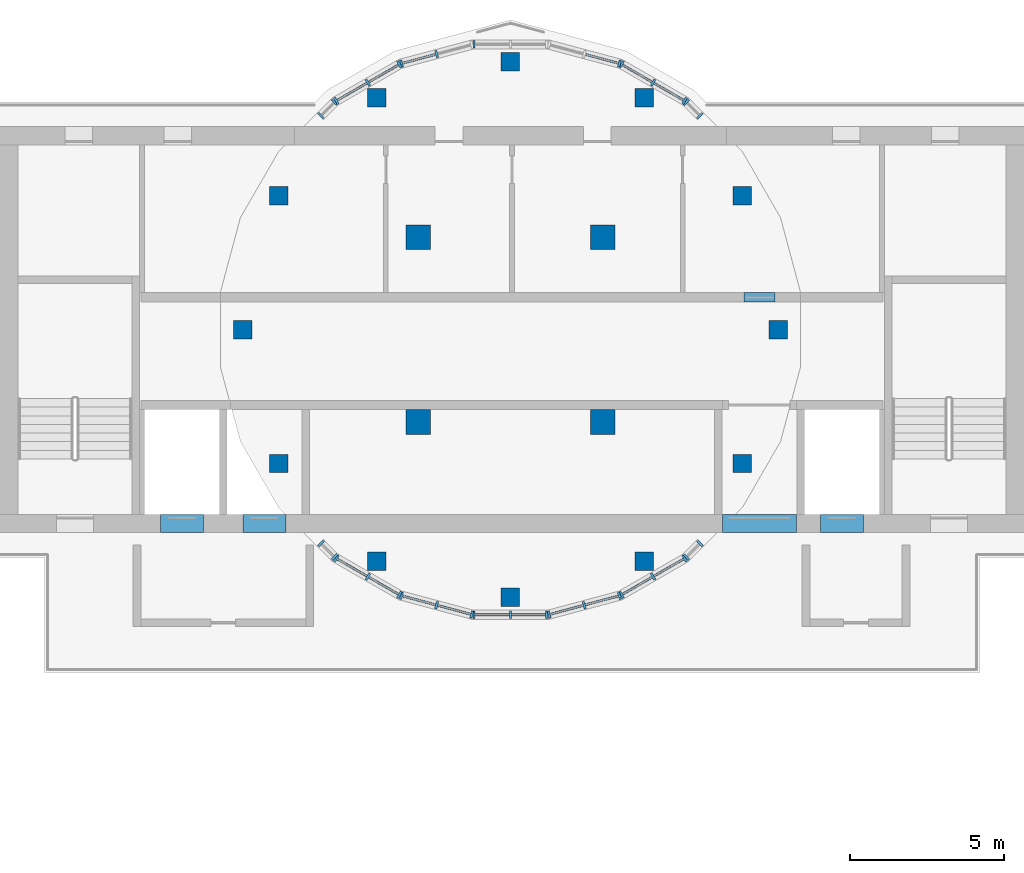
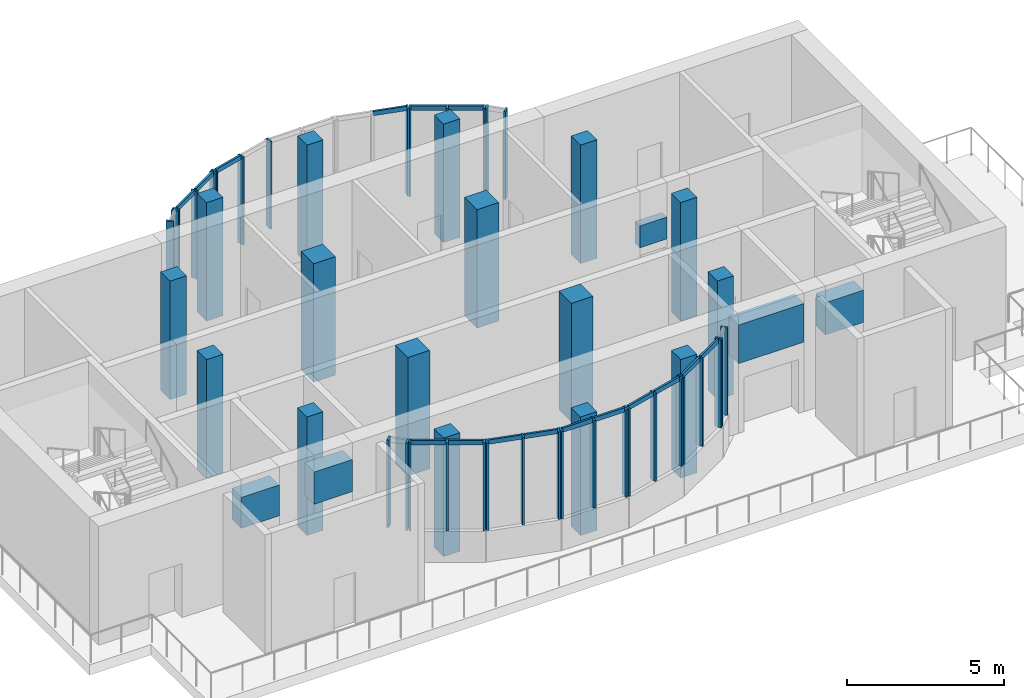
# One storey, part 1 of 10: 49 members, 16 columns, 5 beams, 14 elements without a shape of their own.
"""IFC4 building model written with IfcOpenShell, lengths in metres."""

import ifcopenshell
import ifcopenshell.guid

model = None  # the IFC model being written
_history = None  # IfcOwnerHistory: only IFC2X3 demands one
_inside = {}  # id of a spatial element -> (the spatial element, [elements in it])
_under = {}  # id of a project, library or spatial element -> (it, [spatial elements below it])
_declared = {}  # id of a project -> (the project, [libraries it declares])
_typed = {}  # id of a type object -> (the type object, [elements of that type])
_made_of = {}  # id of a material, layer set ... -> (it, [elements and type objects made of it])


def new_model(schema):
    """Start an empty IFC model of exactly this schema.

    Asked for "IFC4X3", IfcOpenShell would pick the latest addendum, in which some entities
    have other attributes; the version numbers below select the first issue.
    IFC2X3 requires an IfcOwnerHistory on every rooted entity: one is made here for all.
    """
    global model, _history
    if schema == "IFC4X3":
        model = ifcopenshell.file(schema_version=(4, 3, 0, 0))
    else:
        model = ifcopenshell.file(schema=schema)
    _inside.clear()
    _under.clear()
    _declared.clear()
    _typed.clear()
    _made_of.clear()
    _history = None
    if model.schema == "IFC2X3":
        org = make("IfcOrganization", Name="unknown")
        user = make(
            "IfcPersonAndOrganization",
            ThePerson=make("IfcPerson", FamilyName="unknown"),
            TheOrganization=org,
        )
        app = make(
            "IfcApplication",
            ApplicationDeveloper=org,
            Version="unknown",
            ApplicationFullName="unknown",
            ApplicationIdentifier="unknown",
        )
        _history = make(
            "IfcOwnerHistory",
            OwningUser=user,
            OwningApplication=app,
            ChangeAction="ADDED",
            CreationDate=0,
        )
    return model


def make(cls, **values):
    """One entity of the class cls with the attributes given. An attribute that is None is left unset."""
    return model.create_entity(
        cls, **{name: value for name, value in values.items() if value is not None}
    )


def rooted(cls, **values):
    """An entity with a GlobalId (a new one), such as an element, a storey or a relation."""
    return make(cls, GlobalId=ifcopenshell.guid.new(), OwnerHistory=_history, **values)


def si_unit(unit_type, name, prefix=None):
    """IfcSIUnit, for example si_unit("LENGTHUNIT", "METRE", prefix="MILLI")."""
    return make("IfcSIUnit", UnitType=unit_type, Prefix=prefix, Name=name)


def assignment(units):
    """IfcUnitAssignment: the units of a project."""
    return None if units is None else make("IfcUnitAssignment", Units=units)


def point(xyz):
    """IfcCartesianPoint."""
    return None if xyz is None else make("IfcCartesianPoint", Coordinates=xyz)


def direction(xyz):
    """IfcDirection."""
    return None if xyz is None else make("IfcDirection", DirectionRatios=xyz)


def frame(location, z_axis=None, x_axis=None):
    """IfcAxis2Placement3D, a coordinate frame: its origin and axes. An axis left out is left unset."""
    return make(
        "IfcAxis2Placement3D",
        Location=point(location),
        Axis=direction(z_axis),
        RefDirection=direction(x_axis),
    )


def frame_2d(location, x_axis=None):
    """IfcAxis2Placement2D, a coordinate frame in the plane: its origin and x axis."""
    return make(
        "IfcAxis2Placement2D", Location=point(location), RefDirection=direction(x_axis)
    )


def origin():
    """The frame at (0, 0, 0) with its axes left unset."""
    return frame((0.0, 0.0, 0.0))


def origin_2d():
    """The frame at (0, 0) in the plane with its x axis left unset."""
    return frame_2d((0.0, 0.0))


def place(relative_to, where):
    """IfcLocalPlacement: puts the frame where relative to a parent placement (None: the world)."""
    return make(
        "IfcLocalPlacement", PlacementRelTo=relative_to, RelativePlacement=where
    )


def context(
    kind, dimensions, precision=None, world=None, true_north=None, identifier=None
):
    """IfcGeometricRepresentationContext, for example the 3D "Model" context."""
    return make(
        "IfcGeometricRepresentationContext",
        ContextIdentifier=identifier,
        ContextType=kind,
        CoordinateSpaceDimension=dimensions,
        Precision=precision,
        WorldCoordinateSystem=world,
        TrueNorth=true_north,
    )


def subcontext(parent, identifier, kind, view, scale=None):
    """IfcGeometricRepresentationSubContext, for example "Body" below "Model"."""
    return make(
        "IfcGeometricRepresentationSubContext",
        ContextIdentifier=identifier,
        ContextType=kind,
        ParentContext=parent,
        TargetScale=scale,
        TargetView=view,
    )


def project(units=None, contexts=None):
    """IfcProject with its units and contexts."""
    return rooted(
        "IfcProject",
        Name="project",
        RepresentationContexts=contexts,
        UnitsInContext=assignment(units),
    )


def spatial(cls, under=None, at=None, **own):
    """A site, building, storey or space (cls), placed at a placement, below another one or the project."""
    s = rooted(cls, ObjectPlacement=at, **own)
    if under is not None:
        _under.setdefault(under.id(), (under, []))[1].append(s)
    return s


def profile(cls, at=None, kind="AREA", **sizes):
    """A parametric profile (cls). Its sizes go by their IFC names, for example OverallWidth=200.0."""
    return make(cls, ProfileType=kind, Position=at, **sizes)


def rectangle(**sizes):
    """IfcRectangleProfileDef."""
    return profile("IfcRectangleProfileDef", **sizes)


def extrude(swept, where, along, depth):
    """IfcExtrudedAreaSolid: the profile swept, set in the frame where, extruded along a direction by depth."""
    return make(
        "IfcExtrudedAreaSolid",
        SweptArea=swept,
        Position=where,
        ExtrudedDirection=direction(along),
        Depth=depth,
    )


def shape(context_of_items, identifier, shape_type, items):
    """IfcShapeRepresentation: the items that make up one representation, for example the "Body"."""
    return make(
        "IfcShapeRepresentation",
        ContextOfItems=context_of_items,
        RepresentationIdentifier=identifier,
        RepresentationType=shape_type,
        Items=items,
    )


def source(mapping_origin, context_of_items, identifier, shape_type, items):
    """IfcRepresentationMap: a shape defined once, which mapped items show again and again."""
    return make(
        "IfcRepresentationMap",
        MappingOrigin=mapping_origin,
        MappedRepresentation=shape(context_of_items, identifier, shape_type, items),
    )


def transform(
    local_origin,
    x_axis=None,
    y_axis=None,
    z_axis=None,
    scale=None,
    scale2=None,
    scale3=None,
    uniform=True,
):
    """IfcCartesianTransformationOperator3D, or its non-uniform kind. x_axis, y_axis, z_axis: its Axis1, 2, 3."""
    if uniform:
        return make(
            "IfcCartesianTransformationOperator3D",
            Axis1=direction(x_axis),
            Axis2=direction(y_axis),
            LocalOrigin=point(local_origin),
            Scale=scale,
            Axis3=direction(z_axis),
        )
    return make(
        "IfcCartesianTransformationOperator3DnonUniform",
        Axis1=direction(x_axis),
        Axis2=direction(y_axis),
        LocalOrigin=point(local_origin),
        Scale=scale,
        Axis3=direction(z_axis),
        Scale2=scale2,
        Scale3=scale3,
    )


def mapped(mapping_source, mapping_target):
    """IfcMappedItem: shows the shape of a source again, moved by a transform."""
    return make(
        "IfcMappedItem", MappingSource=mapping_source, MappingTarget=mapping_target
    )


def material(Name=None, Category=None):
    """IfcMaterial."""
    return make("IfcMaterial", Name=Name, Category=Category)


def material_profile(
    of_material, cross_section, Name=None, Category=None, Priority=None
):
    """IfcMaterialProfile: a cross section and its material."""
    return make(
        "IfcMaterialProfile",
        Name=Name,
        Material=of_material,
        Profile=cross_section,
        Priority=Priority,
        Category=Category,
    )


def profile_set(profiles, Name=None, composite=None):
    """IfcMaterialProfileSet."""
    return make(
        "IfcMaterialProfileSet",
        Name=Name,
        MaterialProfiles=profiles,
        CompositeProfile=composite,
    )


def made_of(thing, what):
    """Note that an element or type object is made of a material, layer set ...; save() writes the relation."""
    if what is not None:
        _made_of.setdefault(what.id(), (what, []))[1].append(thing)
    return thing


def type_object(cls, material=None, **own):
    """A type object (cls), such as IfcWallType, which elements share."""
    return made_of(rooted(cls, **own), material)


def element(
    cls,
    number,
    at=None,
    inside=None,
    cuts=None,
    type_object=None,
    material=None,
    context=None,
    identifier="Body",
    shape_type=None,
    held_by="IfcProductDefinitionShape",
    body=None,
    shapes=None,
    **own,
):
    """One element of the class cls, such as IfcWall. Its Tag is "e" and its number.

    at: its placement. inside: the storey or other place that contains it. cuts: it is an
    opening in that element (IfcRelVoidsElement). A single representation is given by context,
    identifier, shape_type and body (its items); several are given by shapes. held_by: the class
    of the entity that holds the representations. save() writes the other relations.
    """
    e = rooted(cls, Tag="e%d" % number, ObjectPlacement=at, **own)
    if body is not None:
        shapes = [shape(context, identifier, shape_type, body)]
    if shapes is not None:
        e.Representation = make(held_by, Representations=shapes)
    if inside is not None:
        _inside.setdefault(inside.id(), (inside, []))[1].append(e)
    if cuts is not None:
        rooted(
            "IfcRelVoidsElement", RelatingBuildingElement=cuts, RelatedOpeningElement=e
        )
    if type_object is not None:
        _typed.setdefault(type_object.id(), (type_object, []))[1].append(e)
    return made_of(e, material)


def aggregate(whole, parts):
    """IfcRelAggregates: a whole, such as a stair, and the parts it consists of."""
    return rooted("IfcRelAggregates", RelatingObject=whole, RelatedObjects=parts)


def save(model, path):
    """Write the relations noted so far, then the file.

    IfcRelAggregates (storeys below a building ...), IfcRelContainedInSpatialStructure (elements
    in a storey), IfcRelDefinesByType, IfcRelAssociatesMaterial and IfcRelDeclares: one each for
    every whole, place, type object, material and project.
    """
    for whole, parts in _under.values():
        aggregate(whole, parts)
    for where, things in _inside.values():
        rooted(
            "IfcRelContainedInSpatialStructure",
            RelatedElements=things,
            RelatingStructure=where,
        )
    for kind, things in _typed.values():
        rooted("IfcRelDefinesByType", RelatedObjects=things, RelatingType=kind)
    for what, things in _made_of.values():
        rooted("IfcRelAssociatesMaterial", RelatedObjects=things, RelatingMaterial=what)
    for by, libraries in _declared.values():
        rooted("IfcRelDeclares", RelatingContext=by, RelatedDefinitions=libraries)
    model.write(path)


model = new_model("IFC4")

# Units and contexts
model_context = context("Model", 3, precision=1e-05, world=origin(), true_north=direction((0.0, 1.0)))
body_context = subcontext(model_context, "Body", "Model", "MODEL_VIEW")
ifc_project = project(units=[si_unit("LENGTHUNIT", "METRE"), si_unit("AREAUNIT", "SQUARE_METRE"), si_unit("VOLUMEUNIT", "CUBIC_METRE"), si_unit("PLANEANGLEUNIT", "RADIAN"), si_unit("MASSUNIT", "GRAM", prefix="KILO")], contexts=[model_context])

# Site, building, storey
site_placement = place(None, origin())
site = spatial("IfcSite", under=ifc_project, at=site_placement, CompositionType="ELEMENT")
building_placement = place(site_placement, origin())
building = spatial("IfcBuilding", under=site, at=building_placement, Name="Kilnfold Tower and Market Hall", CompositionType="ELEMENT")
storey_placement = place(building_placement, frame((0.0, 0.0, 323.800048828125)))
storey = spatial("IfcBuildingStorey", under=building, at=storey_placement, Name="L81 Crown Plant", CompositionType="ELEMENT", Elevation=323.800048828125)

# Columns
ifc_material_1 = material(Name="Concrete C60", Category="concrete")
ifc_material_profile_1 = material_profile(ifc_material_1, rectangle(XDim=0.60009765625, YDim=0.60009765625, at=origin_2d()), Name="RC 600x600")
ifc_profile_set_1 = profile_set([ifc_material_profile_1], Name="Concrete C60")
column_type_1 = type_object("IfcColumnType", Name="COLUMN 600X600 C60", PredefinedType="COLUMN", material=ifc_profile_set_1)
shared_shape_1 = source(origin(), body_context, "Body", "SweptSolid", [
    extrude(rectangle(XDim=0.60009765625, YDim=0.60009765625, at=origin_2d()), origin(), (0.0, 0.0, 1.0), 4.599853515625),
])
for number, where, z_axis, x_axis, name in (
    (1, (9.699951171875, 15.0, 0.0), (0.0, 0.0, 1.0), (1.0, 0.0, 0.0), "Column CR1"),
    (2, (8.534423828125, 19.35009765625, 0.0), (0.0, 0.0, 1.0), (1.0, 0.0, 0.0), "Column CR2"),
    (3, (5.35009765625, 22.534423828125, 0.0), (0.0, 0.0, 1.0), (1.0, 0.0, 0.0), "Column CR3"),
    (4, (1.0, 23.699951171875, 0.0), (0.0, 0.0, 1.0), (1.0, 0.0, 0.0), "Column CR4"),
    (5, (-3.35009765625, 22.534423828125, 0.0), (0.0, 0.0, 1.0), (1.0, 0.0, 0.0), "Column CR5"),
    (6, (-6.534423828125, 19.35009765625, 0.0), (0.0, 0.0, 1.0), (1.0, 0.0, 0.0), "Column CR6"),
    (7, (-7.699951171875, 15.0, 0.0), (0.0, 0.0, 1.0), (1.0, 0.0, 0.0), "Column CR7"),
    (8, (-6.534423828125, 10.64990234375, 0.0), (0.0, 0.0, 1.0), (1.0, 0.0, 0.0), "Column CR8"),
    (9, (-3.35009765625, 7.465576171875, 0.0), (0.0, 0.0, 1.0), (1.0, 0.0, 0.0), "Column CR9"),
    (10, (1.0, 6.300048828125, 0.0), (0.0, 0.0, 1.0), (1.0, 0.0, 0.0), "Column CR10"),
    (11, (5.35009765625, 7.465576171875, 0.0), (0.0, 0.0, 1.0), (1.0, 0.0, 0.0), "Column CR11"),
    (12, (8.534423828125, 10.64990234375, 0.0), (0.0, 0.0, 1.0), (1.0, 0.0, 0.0), "Column CR12"),
):
    element("IfcColumn", number, at=place(storey_placement, frame(where, z_axis=z_axis, x_axis=x_axis)), inside=storey, type_object=column_type_1, Name=name, PredefinedType="COLUMN", context=body_context, shape_type="MappedRepresentation", body=[
        mapped(shared_shape_1, transform((0.0, 0.0, 0.0))),
    ])
ifc_material_2 = material(Name="Concrete C60", Category="concrete")
ifc_material_profile_2 = material_profile(ifc_material_2, rectangle(XDim=0.800048828125, YDim=0.800048828125, at=origin_2d()), Name="RC 800x800")
ifc_profile_set_2 = profile_set([ifc_material_profile_2], Name="Concrete C60")
column_type_2 = type_object("IfcColumnType", Name="COLUMN 800X800 C60", PredefinedType="COLUMN", material=ifc_profile_set_2)
shared_shape_2 = source(origin(), body_context, "Body", "SweptSolid", [
    extrude(rectangle(XDim=0.800048828125, YDim=0.800048828125, at=origin_2d()), origin(), (0.0, 0.0, 1.0), 4.599853515625),
])
for number, where, z_axis, x_axis, name in (
    (13, (-2.0, 12.0, 0.0), (0.0, 0.0, 1.0), (1.0, 0.0, 0.0), "Column ML1"),
    (14, (-2.0, 18.0, 0.0), (0.0, 0.0, 1.0), (1.0, 0.0, 0.0), "Column ML2"),
    (15, (4.0, 12.0, 0.0), (0.0, 0.0, 1.0), (1.0, 0.0, 0.0), "Column ML3"),
    (16, (4.0, 18.0, 0.0), (0.0, 0.0, 1.0), (1.0, 0.0, 0.0), "Column ML4"),
):
    element("IfcColumn", number, at=place(storey_placement, frame(where, z_axis=z_axis, x_axis=x_axis)), inside=storey, type_object=column_type_2, Name=name, PredefinedType="COLUMN", context=body_context, shape_type="MappedRepresentation", body=[
        mapped(shared_shape_2, transform((0.0, 0.0, 0.0))),
    ])

# Beams
ifc_material_3 = material(Name="Concrete C50", Category="concrete")
ifc_material_profile_3 = material_profile(ifc_material_3, rectangle(XDim=0.60009765625, YDim=1.199951171875, at=origin_2d()), Name="RC 600x1200")
ifc_profile_set_3 = profile_set([ifc_material_profile_3], Name="Concrete C50")
beam_type_1 = type_object("IfcBeamType", Name="COUPLING BEAM 600X1200 C50", PredefinedType="BEAM", material=ifc_profile_set_3)
shared_shape_3 = source(origin(), body_context, "Body", "SweptSolid", [
    extrude(rectangle(XDim=0.60009765625, YDim=1.199951171875, at=origin_2d()), origin(), (0.0, 0.0, 1.0), 1.400146484375),
])
beam_1_placement = place(storey_placement, frame((-10.3701171875, 8.699951171875, 3.300048828125), z_axis=(1.0, 0.0, 0.0), x_axis=(0.0, 1.0, 0.0)))
element("IfcBeam", 17, at=beam_1_placement, inside=storey, type_object=beam_type_1, Name="Coupling beam CB1200-50-CORE.30", PredefinedType="BEAM", context=body_context, shape_type="MappedRepresentation", body=[
    mapped(shared_shape_3, transform((0.0, 0.0, 0.0))),
])
ifc_material_4 = material(Name="Concrete C50", Category="concrete")
ifc_material_profile_4 = material_profile(ifc_material_4, rectangle(XDim=0.60009765625, YDim=1.25, at=origin_2d()), Name="RC 600x1250")
ifc_profile_set_4 = profile_set([ifc_material_profile_4], Name="Concrete C50")
beam_type_2 = type_object("IfcBeamType", Name="COUPLING BEAM 600X1250 C50", PredefinedType="BEAM", material=ifc_profile_set_4)
shared_shape_4 = source(origin(), body_context, "Body", "SweptSolid", [
    extrude(rectangle(XDim=0.60009765625, YDim=1.25, at=origin_2d()), origin(), (0.0, 0.0, 1.0), 1.39990234375),
])
for number, where, z_axis, x_axis, name in (
    (18, (-7.68994140625, 8.699951171875, 3.324951171875), (1.0, 0.0, 0.0), (0.0, 1.0, 0.0), "Coupling beam CB1250-50-CORE.32"),
    (19, (11.070068359375, 8.699951171875, 3.324951171875), (1.0, 0.0, 0.0), (0.0, 1.0, 0.0), "Coupling beam CB1250-50-CORE.36"),
):
    element("IfcBeam", number, at=place(storey_placement, frame(where, z_axis=z_axis, x_axis=x_axis)), inside=storey, type_object=beam_type_2, Name=name, PredefinedType="BEAM", context=body_context, shape_type="MappedRepresentation", body=[
        mapped(shared_shape_4, transform((0.0, 0.0, 0.0))),
    ])
ifc_material_5 = material(Name="Concrete C50", Category="concrete")
ifc_material_profile_5 = material_profile(ifc_material_5, rectangle(XDim=0.60009765625, YDim=1.5, at=origin_2d()), Name="RC 600x1500")
ifc_profile_set_5 = profile_set([ifc_material_profile_5], Name="Concrete C50")
beam_type_3 = type_object("IfcBeamType", Name="COUPLING BEAM 600X1500 C50", PredefinedType="BEAM", material=ifc_profile_set_5)
shared_shape_5 = source(origin(), body_context, "Body", "SweptSolid", [
    extrude(rectangle(XDim=0.60009765625, YDim=1.5, at=origin_2d()), origin(), (0.0, 0.0, 1.0), 2.400146484375),
])
beam_2_placement = place(storey_placement, frame((7.889892578125, 8.699951171875, 3.449951171875), z_axis=(1.0, 0.0, 0.0), x_axis=(0.0, 1.0, 0.0)))
element("IfcBeam", 20, at=beam_2_placement, inside=storey, type_object=beam_type_3, Name="Coupling beam CB1500-50-CORE.34", PredefinedType="BEAM", context=body_context, shape_type="MappedRepresentation", body=[
    mapped(shared_shape_5, transform((0.0, 0.0, 0.0))),
])
ifc_material_6 = material(Name="Concrete C50", Category="concrete")
ifc_material_profile_6 = material_profile(ifc_material_6, rectangle(XDim=0.300048828125, YDim=0.85009765625, at=origin_2d()), Name="RC 300x850")
ifc_profile_set_6 = profile_set([ifc_material_profile_6], Name="Concrete C50")
beam_type_4 = type_object("IfcBeamType", Name="COUPLING BEAM 300X850 C50", PredefinedType="BEAM", material=ifc_profile_set_6)
shared_shape_6 = source(origin(), body_context, "Body", "SweptSolid", [
    extrude(rectangle(XDim=0.300048828125, YDim=0.85009765625, at=origin_2d()), origin(), (0.0, 0.0, 1.0), 1.0),
])
beam_3_placement = place(storey_placement, frame((8.590087890625, 16.050048828125, 2.824951171875), z_axis=(1.0, 0.0, 0.0), x_axis=(0.0, 1.0, 0.0)))
element("IfcBeam", 21, at=beam_3_placement, inside=storey, type_object=beam_type_4, Name="Coupling beam CB850-50-CORE.38", PredefinedType="BEAM", context=body_context, shape_type="MappedRepresentation", body=[
    mapped(shared_shape_6, transform((0.0, 0.0, 0.0))),
])

# Curtain wall, members
ifc_material_7 = material(Name="Aluminium and double glazing", Category="aluminium")
curtain_wall_type = type_object("IfcCurtainWallType", Name="CW CROWN CLERESTORY", PredefinedType="NOTDEFINED", material=ifc_material_7)
curtain_wall_1_placement = place(storey_placement, origin())
curtain_wall_1 = element("IfcCurtainWall", 22, at=curtain_wall_1_placement, inside=storey, type_object=curtain_wall_type, Name="Curtain wall CW6 L81 D1", PredefinedType="NOTDEFINED")
ifc_material_8 = material(Name="Aluminium", Category="aluminium")
ifc_material_profile_7 = material_profile(ifc_material_8, rectangle(XDim=0.074951171875, YDim=0.239990234375, at=origin_2d()), Name="MULLION 75x240")
ifc_profile_set_7 = profile_set([ifc_material_profile_7], Name="Aluminium")
member_type_1 = type_object("IfcMemberType", Name="MULLION 75X240", PredefinedType="MULLION", material=ifc_profile_set_7)
shared_shape_7 = source(origin(), body_context, "Body", "SweptSolid", [
    extrude(rectangle(XDim=0.074951171875, YDim=0.239990234375, at=origin_2d()), origin(), (0.0, 0.0, 1.0), 3.39990234375),
])
member_1_placement = place(storey_placement, frame((-0.182861328125, 5.731201171875, 1.199951171875), z_axis=(0.0, 0.0, 1.0), x_axis=(1.0, 0.0, 0.0)))
member_1 = element("IfcMember", 23, at=member_1_placement, type_object=member_type_1, Name="CW6 mullion 1", PredefinedType="MULLION", context=body_context, shape_type="MappedRepresentation", body=[
    mapped(shared_shape_7, transform((0.0, 0.0, 0.0))),
])
member_2_placement = place(storey_placement, frame((1.0, 5.731201171875, 1.199951171875), z_axis=(0.0, 0.0, 1.0), x_axis=(1.0, 0.0, 0.0)))
member_2 = element("IfcMember", 24, at=member_2_placement, type_object=member_type_1, Name="CW6 mullion 2", PredefinedType="MULLION", context=body_context, shape_type="MappedRepresentation", body=[
    mapped(shared_shape_7, transform((0.0, 0.0, 0.0))),
])
member_3_placement = place(storey_placement, frame((2.182861328125, 5.731201171875, 1.199951171875), z_axis=(0.0, 0.0, 1.0), x_axis=(1.0, 0.0, 0.0)))
member_3 = element("IfcMember", 25, at=member_3_placement, type_object=member_type_1, Name="CW6 mullion 3", PredefinedType="MULLION", context=body_context, shape_type="MappedRepresentation", body=[
    mapped(shared_shape_7, transform((0.0, 0.0, 0.0))),
])

curtain_wall_2_placement = place(storey_placement, origin())
curtain_wall_2 = element("IfcCurtainWall", 26, at=curtain_wall_2_placement, inside=storey, type_object=curtain_wall_type, Name="Curtain wall CW6 L81 D2", PredefinedType="NOTDEFINED")
member_4_placement = place(storey_placement, frame((2.256591796875, 5.740966796875, 1.199951171875), z_axis=(0.0, 0.0, 1.0), x_axis=(0.965929578708, 0.258805040479, 0.0)))
member_4 = element("IfcMember", 27, at=member_4_placement, type_object=member_type_1, Name="CW6 mullion 1", PredefinedType="MULLION", context=body_context, shape_type="MappedRepresentation", body=[
    mapped(shared_shape_7, transform((0.0, 0.0, 0.0))),
])
member_5_placement = place(storey_placement, frame((3.39892578125, 6.047119140625, 1.199951171875), z_axis=(0.0, 0.0, 1.0), x_axis=(0.965929578708, 0.258805040479, 0.0)))
member_5 = element("IfcMember", 28, at=member_5_placement, type_object=member_type_1, Name="CW6 mullion 2", PredefinedType="MULLION", context=body_context, shape_type="MappedRepresentation", body=[
    mapped(shared_shape_7, transform((0.0, 0.0, 0.0))),
])
member_6_placement = place(storey_placement, frame((4.541259765625, 6.353271484375, 1.199951171875), z_axis=(0.0, 0.0, 1.0), x_axis=(0.965929578708, 0.258805040479, 0.0)))
member_6 = element("IfcMember", 29, at=member_6_placement, type_object=member_type_1, Name="CW6 mullion 3", PredefinedType="MULLION", context=body_context, shape_type="MappedRepresentation", body=[
    mapped(shared_shape_7, transform((0.0, 0.0, 0.0))),
])

curtain_wall_3_placement = place(storey_placement, origin())
curtain_wall_3 = element("IfcCurtainWall", 30, at=curtain_wall_3_placement, inside=storey, type_object=curtain_wall_type, Name="Curtain wall CW6 L81 D3", PredefinedType="NOTDEFINED")
member_7_placement = place(storey_placement, frame((4.610107421875, 6.381591796875, 1.199951171875), z_axis=(0.0, 0.0, 1.0), x_axis=(0.866030690129, 0.499990843671, 0.0)))
member_7 = element("IfcMember", 31, at=member_7_placement, type_object=member_type_1, Name="CW6 mullion 1", PredefinedType="MULLION", context=body_context, shape_type="MappedRepresentation", body=[
    mapped(shared_shape_7, transform((0.0, 0.0, 0.0))),
])
member_8_placement = place(storey_placement, frame((5.63427734375, 6.972900390625, 1.199951171875), z_axis=(0.0, 0.0, 1.0), x_axis=(0.866030690129, 0.499990843671, 0.0)))
member_8 = element("IfcMember", 32, at=member_8_placement, type_object=member_type_1, Name="CW6 mullion 2", PredefinedType="MULLION", context=body_context, shape_type="MappedRepresentation", body=[
    mapped(shared_shape_7, transform((0.0, 0.0, 0.0))),
])
member_9_placement = place(storey_placement, frame((6.65869140625, 7.564453125, 1.199951171875), z_axis=(0.0, 0.0, 1.0), x_axis=(0.866030690129, 0.499990843671, 0.0)))
member_9 = element("IfcMember", 33, at=member_9_placement, type_object=member_type_1, Name="CW6 mullion 3", PredefinedType="MULLION", context=body_context, shape_type="MappedRepresentation", body=[
    mapped(shared_shape_7, transform((0.0, 0.0, 0.0))),
])

curtain_wall_4_placement = place(storey_placement, origin())
curtain_wall_4 = element("IfcCurtainWall", 34, at=curtain_wall_4_placement, inside=storey, type_object=curtain_wall_type, Name="Curtain wall CW6 L81 D4", PredefinedType="NOTDEFINED")
member_10_placement = place(storey_placement, frame((6.717529296875, 7.609619140625, 1.199951171875), z_axis=(0.0, 0.0, 1.0), x_axis=(0.707035055596, 0.707178499502, 0.0)))
member_10 = element("IfcMember", 35, at=member_10_placement, type_object=member_type_1, Name="CW6 mullion 1", PredefinedType="MULLION", context=body_context, shape_type="MappedRepresentation", body=[
    mapped(shared_shape_7, transform((0.0, 0.0, 0.0))),
])
member_11_placement = place(storey_placement, frame((7.157470703125, 8.049560546875, 1.199951171875), z_axis=(0.0, 0.0, 1.0), x_axis=(0.707035055596, 0.707178499502, 0.0)))
member_11 = element("IfcMember", 36, at=member_11_placement, type_object=member_type_1, Name="CW6 mullion 2", PredefinedType="MULLION", context=body_context, shape_type="MappedRepresentation", body=[
    mapped(shared_shape_7, transform((0.0, 0.0, 0.0))),
])
aggregate(curtain_wall_4, [member_10, member_11])

curtain_wall_5_placement = place(storey_placement, origin())
curtain_wall_5 = element("IfcCurtainWall", 37, at=curtain_wall_5_placement, inside=storey, type_object=curtain_wall_type, Name="Curtain wall CW6 L81 D10", PredefinedType="NOTDEFINED")
member_12_placement = place(storey_placement, frame((7.157470703125, 21.950439453125, 1.199951171875), z_axis=(0.0, 0.0, 1.0), x_axis=(-0.707035055596, 0.707178499502, 0.0)))
member_12 = element("IfcMember", 38, at=member_12_placement, type_object=member_type_1, Name="CW6 mullion 1", PredefinedType="MULLION", context=body_context, shape_type="MappedRepresentation", body=[
    mapped(shared_shape_7, transform((0.0, 0.0, 0.0))),
])
member_13_placement = place(storey_placement, frame((6.717529296875, 22.390380859375, 1.199951171875), z_axis=(0.0, 0.0, 1.0), x_axis=(-0.707035055596, 0.707178499502, 0.0)))
member_13 = element("IfcMember", 39, at=member_13_placement, type_object=member_type_1, Name="CW6 mullion 2", PredefinedType="MULLION", context=body_context, shape_type="MappedRepresentation", body=[
    mapped(shared_shape_7, transform((0.0, 0.0, 0.0))),
])
aggregate(curtain_wall_5, [member_12, member_13])

curtain_wall_6_placement = place(storey_placement, origin())
curtain_wall_6 = element("IfcCurtainWall", 40, at=curtain_wall_6_placement, inside=storey, type_object=curtain_wall_type, Name="Curtain wall CW6 L81 D11", PredefinedType="NOTDEFINED")
member_14_placement = place(storey_placement, frame((6.65869140625, 22.435546875, 1.199951171875), z_axis=(0.0, 0.0, 1.0), x_axis=(-0.866030690129, 0.499990843671, 0.0)))
member_14 = element("IfcMember", 41, at=member_14_placement, type_object=member_type_1, Name="CW6 mullion 1", PredefinedType="MULLION", context=body_context, shape_type="MappedRepresentation", body=[
    mapped(shared_shape_7, transform((0.0, 0.0, 0.0))),
])
member_15_placement = place(storey_placement, frame((5.63427734375, 23.027099609375, 1.199951171875), z_axis=(0.0, 0.0, 1.0), x_axis=(-0.866030690129, 0.499990843671, 0.0)))
member_15 = element("IfcMember", 42, at=member_15_placement, type_object=member_type_1, Name="CW6 mullion 2", PredefinedType="MULLION", context=body_context, shape_type="MappedRepresentation", body=[
    mapped(shared_shape_7, transform((0.0, 0.0, 0.0))),
])
member_16_placement = place(storey_placement, frame((4.610107421875, 23.618408203125, 1.199951171875), z_axis=(0.0, 0.0, 1.0), x_axis=(-0.866030690129, 0.499990843671, 0.0)))
member_16 = element("IfcMember", 43, at=member_16_placement, type_object=member_type_1, Name="CW6 mullion 3", PredefinedType="MULLION", context=body_context, shape_type="MappedRepresentation", body=[
    mapped(shared_shape_7, transform((0.0, 0.0, 0.0))),
])

# Curtain wall, member
curtain_wall_7_placement = place(storey_placement, origin())
curtain_wall_7 = element("IfcCurtainWall", 44, at=curtain_wall_7_placement, inside=storey, type_object=curtain_wall_type, Name="Curtain wall CW6 L81 D12", PredefinedType="NOTDEFINED")
member_17_placement = place(storey_placement, frame((4.541259765625, 23.646728515625, 1.199951171875), z_axis=(0.0, 0.0, 1.0), x_axis=(-0.965929578708, 0.258805040479, 0.0)))
member_17 = element("IfcMember", 45, at=member_17_placement, type_object=member_type_1, Name="CW6 mullion 1", PredefinedType="MULLION", context=body_context, shape_type="MappedRepresentation", body=[
    mapped(shared_shape_7, transform((0.0, 0.0, 0.0))),
])

curtain_wall_8_placement = place(storey_placement, origin())
curtain_wall_8 = element("IfcCurtainWall", 46, at=curtain_wall_8_placement, inside=storey, type_object=curtain_wall_type, Name="Curtain wall CW6 L81 D13", PredefinedType="NOTDEFINED")
member_18_placement = place(storey_placement, frame((-0.182861328125, 24.268798828125, 1.199951171875), z_axis=(0.0, 0.0, 1.0), x_axis=(-1.0, 0.0, 0.0)))
member_18 = element("IfcMember", 47, at=member_18_placement, type_object=member_type_1, Name="CW6 mullion 3", PredefinedType="MULLION", context=body_context, shape_type="MappedRepresentation", body=[
    mapped(shared_shape_7, transform((0.0, 0.0, 0.0))),
])
aggregate(curtain_wall_8, [member_18])

# Curtain wall, members
curtain_wall_9_placement = place(storey_placement, origin())
curtain_wall_9 = element("IfcCurtainWall", 48, at=curtain_wall_9_placement, inside=storey, type_object=curtain_wall_type, Name="Curtain wall CW6 L81 D14", PredefinedType="NOTDEFINED")
member_19_placement = place(storey_placement, frame((-1.39892578125, 23.952880859375, 1.199951171875), z_axis=(0.0, 0.0, 1.0), x_axis=(-0.965929578708, -0.258805040479, 0.0)))
member_19 = element("IfcMember", 49, at=member_19_placement, type_object=member_type_1, Name="CW6 mullion 2", PredefinedType="MULLION", context=body_context, shape_type="MappedRepresentation", body=[
    mapped(shared_shape_7, transform((0.0, 0.0, 0.0))),
])
member_20_placement = place(storey_placement, frame((-2.541259765625, 23.646728515625, 1.199951171875), z_axis=(0.0, 0.0, 1.0), x_axis=(-0.965929578708, -0.258805040479, 0.0)))
member_20 = element("IfcMember", 50, at=member_20_placement, type_object=member_type_1, Name="CW6 mullion 3", PredefinedType="MULLION", context=body_context, shape_type="MappedRepresentation", body=[
    mapped(shared_shape_7, transform((0.0, 0.0, 0.0))),
])

curtain_wall_10_placement = place(storey_placement, origin())
curtain_wall_10 = element("IfcCurtainWall", 51, at=curtain_wall_10_placement, inside=storey, type_object=curtain_wall_type, Name="Curtain wall CW6 L81 D15", PredefinedType="NOTDEFINED")
member_21_placement = place(storey_placement, frame((-2.610107421875, 23.618408203125, 1.199951171875), z_axis=(0.0, 0.0, 1.0), x_axis=(-0.866030690129, -0.499990843671, 0.0)))
member_21 = element("IfcMember", 52, at=member_21_placement, type_object=member_type_1, Name="CW6 mullion 1", PredefinedType="MULLION", context=body_context, shape_type="MappedRepresentation", body=[
    mapped(shared_shape_7, transform((0.0, 0.0, 0.0))),
])
member_22_placement = place(storey_placement, frame((-3.63427734375, 23.027099609375, 1.199951171875), z_axis=(0.0, 0.0, 1.0), x_axis=(-0.866030690129, -0.499990843671, 0.0)))
member_22 = element("IfcMember", 53, at=member_22_placement, type_object=member_type_1, Name="CW6 mullion 2", PredefinedType="MULLION", context=body_context, shape_type="MappedRepresentation", body=[
    mapped(shared_shape_7, transform((0.0, 0.0, 0.0))),
])
member_23_placement = place(storey_placement, frame((-4.65869140625, 22.435546875, 1.199951171875), z_axis=(0.0, 0.0, 1.0), x_axis=(-0.866030690129, -0.499990843671, 0.0)))
member_23 = element("IfcMember", 54, at=member_23_placement, type_object=member_type_1, Name="CW6 mullion 3", PredefinedType="MULLION", context=body_context, shape_type="MappedRepresentation", body=[
    mapped(shared_shape_7, transform((0.0, 0.0, 0.0))),
])

curtain_wall_11_placement = place(storey_placement, origin())
curtain_wall_11 = element("IfcCurtainWall", 55, at=curtain_wall_11_placement, inside=storey, type_object=curtain_wall_type, Name="Curtain wall CW6 L81 D16", PredefinedType="NOTDEFINED")
member_24_placement = place(storey_placement, frame((-4.717529296875, 22.390380859375, 1.199951171875), z_axis=(0.0, 0.0, 1.0), x_axis=(-0.707035055596, -0.707178499502, 0.0)))
member_24 = element("IfcMember", 56, at=member_24_placement, type_object=member_type_1, Name="CW6 mullion 1", PredefinedType="MULLION", context=body_context, shape_type="MappedRepresentation", body=[
    mapped(shared_shape_7, transform((0.0, 0.0, 0.0))),
])
member_25_placement = place(storey_placement, frame((-5.157470703125, 21.950439453125, 1.199951171875), z_axis=(0.0, 0.0, 1.0), x_axis=(-0.707035055596, -0.707178499502, 0.0)))
member_25 = element("IfcMember", 57, at=member_25_placement, type_object=member_type_1, Name="CW6 mullion 2", PredefinedType="MULLION", context=body_context, shape_type="MappedRepresentation", body=[
    mapped(shared_shape_7, transform((0.0, 0.0, 0.0))),
])
aggregate(curtain_wall_11, [member_24, member_25])

curtain_wall_12_placement = place(storey_placement, origin())
curtain_wall_12 = element("IfcCurtainWall", 58, at=curtain_wall_12_placement, inside=storey, type_object=curtain_wall_type, Name="Curtain wall CW6 L81 D22", PredefinedType="NOTDEFINED")
member_26_placement = place(storey_placement, frame((-5.157470703125, 8.049560546875, 1.199951171875), z_axis=(0.0, 0.0, 1.0), x_axis=(0.707035055596, -0.707178499502, 0.0)))
member_26 = element("IfcMember", 59, at=member_26_placement, type_object=member_type_1, Name="CW6 mullion 1", PredefinedType="MULLION", context=body_context, shape_type="MappedRepresentation", body=[
    mapped(shared_shape_7, transform((0.0, 0.0, 0.0))),
])
member_27_placement = place(storey_placement, frame((-4.717529296875, 7.609619140625, 1.199951171875), z_axis=(0.0, 0.0, 1.0), x_axis=(0.707035055596, -0.707178499502, 0.0)))
member_27 = element("IfcMember", 60, at=member_27_placement, type_object=member_type_1, Name="CW6 mullion 2", PredefinedType="MULLION", context=body_context, shape_type="MappedRepresentation", body=[
    mapped(shared_shape_7, transform((0.0, 0.0, 0.0))),
])
aggregate(curtain_wall_12, [member_26, member_27])

curtain_wall_13_placement = place(storey_placement, origin())
curtain_wall_13 = element("IfcCurtainWall", 61, at=curtain_wall_13_placement, inside=storey, type_object=curtain_wall_type, Name="Curtain wall CW6 L81 D23", PredefinedType="NOTDEFINED")
member_28_placement = place(storey_placement, frame((-4.65869140625, 7.564453125, 1.199951171875), z_axis=(0.0, 0.0, 1.0), x_axis=(0.866030690129, -0.499990843671, 0.0)))
member_28 = element("IfcMember", 62, at=member_28_placement, type_object=member_type_1, Name="CW6 mullion 1", PredefinedType="MULLION", context=body_context, shape_type="MappedRepresentation", body=[
    mapped(shared_shape_7, transform((0.0, 0.0, 0.0))),
])
member_29_placement = place(storey_placement, frame((-3.63427734375, 6.972900390625, 1.199951171875), z_axis=(0.0, 0.0, 1.0), x_axis=(0.866030690129, -0.499990843671, 0.0)))
member_29 = element("IfcMember", 63, at=member_29_placement, type_object=member_type_1, Name="CW6 mullion 2", PredefinedType="MULLION", context=body_context, shape_type="MappedRepresentation", body=[
    mapped(shared_shape_7, transform((0.0, 0.0, 0.0))),
])
member_30_placement = place(storey_placement, frame((-2.610107421875, 6.381591796875, 1.199951171875), z_axis=(0.0, 0.0, 1.0), x_axis=(0.866030690129, -0.499990843671, 0.0)))
member_30 = element("IfcMember", 64, at=member_30_placement, type_object=member_type_1, Name="CW6 mullion 3", PredefinedType="MULLION", context=body_context, shape_type="MappedRepresentation", body=[
    mapped(shared_shape_7, transform((0.0, 0.0, 0.0))),
])

curtain_wall_14_placement = place(storey_placement, origin())
curtain_wall_14 = element("IfcCurtainWall", 65, at=curtain_wall_14_placement, inside=storey, type_object=curtain_wall_type, Name="Curtain wall CW6 L81 D24", PredefinedType="NOTDEFINED")
member_31_placement = place(storey_placement, frame((-2.541259765625, 6.353271484375, 1.199951171875), z_axis=(0.0, 0.0, 1.0), x_axis=(0.965929578708, -0.258805040479, 0.0)))
member_31 = element("IfcMember", 66, at=member_31_placement, type_object=member_type_1, Name="CW6 mullion 1", PredefinedType="MULLION", context=body_context, shape_type="MappedRepresentation", body=[
    mapped(shared_shape_7, transform((0.0, 0.0, 0.0))),
])
member_32_placement = place(storey_placement, frame((-1.39892578125, 6.047119140625, 1.199951171875), z_axis=(0.0, 0.0, 1.0), x_axis=(0.965929578708, -0.258805040479, 0.0)))
member_32 = element("IfcMember", 67, at=member_32_placement, type_object=member_type_1, Name="CW6 mullion 2", PredefinedType="MULLION", context=body_context, shape_type="MappedRepresentation", body=[
    mapped(shared_shape_7, transform((0.0, 0.0, 0.0))),
])
member_33_placement = place(storey_placement, frame((-0.256591796875, 5.740966796875, 1.199951171875), z_axis=(0.0, 0.0, 1.0), x_axis=(0.965929578708, -0.258805040479, 0.0)))
member_33 = element("IfcMember", 68, at=member_33_placement, type_object=member_type_1, Name="CW6 mullion 3", PredefinedType="MULLION", context=body_context, shape_type="MappedRepresentation", body=[
    mapped(shared_shape_7, transform((0.0, 0.0, 0.0))),
])

# Member
ifc_material_9 = material(Name="Aluminium", Category="aluminium")
ifc_material_profile_8 = material_profile(ifc_material_9, rectangle(XDim=0.074951171875, YDim=0.169921875, at=origin_2d()), Name="TRANSOM 75x170")
ifc_profile_set_8 = profile_set([ifc_material_profile_8], Name="Aluminium")
member_type_2 = type_object("IfcMemberType", Name="TRANSOM 75X170", PredefinedType="USERDEFINED", material=ifc_profile_set_8)
shared_shape_8 = source(origin(), body_context, "Body", "SweptSolid", [
    extrude(rectangle(XDim=0.074951171875, YDim=0.169921875, at=origin_2d()), origin(), (0.0, 0.0, 1.0), 1.107666015625),
])
member_34_placement = place(storey_placement, frame((-0.145263671875, 5.731201171875, 4.5625), z_axis=(1.0, 0.0, 0.0), x_axis=(0.0, 1.0, 0.0)))
member_34 = element("IfcMember", 69, at=member_34_placement, type_object=member_type_2, Name="CW6 transom 1.2", ObjectType="TRANSOM", PredefinedType="USERDEFINED", context=body_context, shape_type="MappedRepresentation", body=[
    mapped(shared_shape_8, transform((0.0, 0.0, 0.0))),
])

member_35_placement = place(storey_placement, frame((1.03759765625, 5.731201171875, 4.5625), z_axis=(1.0, 0.0, 0.0), x_axis=(0.0, 1.0, 0.0)))
member_35 = element("IfcMember", 70, at=member_35_placement, type_object=member_type_2, Name="CW6 transom 2.2", ObjectType="TRANSOM", PredefinedType="USERDEFINED", context=body_context, shape_type="MappedRepresentation", body=[
    mapped(shared_shape_8, transform((0.0, 0.0, 0.0))),
])

aggregate(curtain_wall_1, [member_1, member_2, member_3, member_34, member_35])

member_36_placement = place(storey_placement, frame((4.642578125, 6.400390625, 4.5625), z_axis=(0.865969014285, 0.500097656761, 0.0), x_axis=(-0.500097656761, 0.865969014285, 0.0)))
member_36 = element("IfcMember", 71, at=member_36_placement, type_object=member_type_2, Name="CW6 transom 1.2", ObjectType="TRANSOM", PredefinedType="USERDEFINED", context=body_context, shape_type="MappedRepresentation", body=[
    mapped(shared_shape_8, transform((0.0, 0.0, 0.0))),
])

member_37_placement = place(storey_placement, frame((5.601806640625, 23.045654296875, 4.5625), z_axis=(-0.865969014285, 0.500097656761, 0.0), x_axis=(-0.500097656761, -0.865969014285, 0.0)))
member_37 = element("IfcMember", 72, at=member_37_placement, type_object=member_type_2, Name="CW6 transom 2.2", ObjectType="TRANSOM", PredefinedType="USERDEFINED", context=body_context, shape_type="MappedRepresentation", body=[
    mapped(shared_shape_8, transform((0.0, 0.0, 0.0))),
])

member_38_placement = place(storey_placement, frame((-2.642578125, 23.599609375, 4.5625), z_axis=(-0.865969014285, -0.500097656761, 0.0), x_axis=(0.500097656761, -0.865969014285, 0.0)))
member_38 = element("IfcMember", 73, at=member_38_placement, type_object=member_type_2, Name="CW6 transom 1.2", ObjectType="TRANSOM", PredefinedType="USERDEFINED", context=body_context, shape_type="MappedRepresentation", body=[
    mapped(shared_shape_8, transform((0.0, 0.0, 0.0))),
])

member_39_placement = place(storey_placement, frame((-3.601806640625, 6.954345703125, 4.5625), z_axis=(0.865969014285, -0.500097656761, 0.0), x_axis=(0.500097656761, 0.865969014285, 0.0)))
member_39 = element("IfcMember", 74, at=member_39_placement, type_object=member_type_2, Name="CW6 transom 2.2", ObjectType="TRANSOM", PredefinedType="USERDEFINED", context=body_context, shape_type="MappedRepresentation", body=[
    mapped(shared_shape_8, transform((0.0, 0.0, 0.0))),
])

shared_shape_9 = source(origin(), body_context, "Body", "SweptSolid", [
    extrude(rectangle(XDim=0.074951171875, YDim=0.169921875, at=origin_2d()), origin(), (0.0, 0.0, 1.0), 1.10791015625),
])
member_40_placement = place(storey_placement, frame((2.292724609375, 5.750732421875, 4.5625), z_axis=(0.965949035067, 0.258732413226, 0.0), x_axis=(-0.258732413226, 0.965949035067, 0.0)))
member_40 = element("IfcMember", 75, at=member_40_placement, type_object=member_type_2, Name="CW6 transom 1.2", ObjectType="TRANSOM", PredefinedType="USERDEFINED", context=body_context, shape_type="MappedRepresentation", body=[
    mapped(shared_shape_9, transform((0.0, 0.0, 0.0))),
])

member_41_placement = place(storey_placement, frame((3.43505859375, 6.056884765625, 4.5625), z_axis=(0.965949035067, 0.258732413226, 0.0), x_axis=(-0.258732413226, 0.965949035067, 0.0)))
member_41 = element("IfcMember", 76, at=member_41_placement, type_object=member_type_2, Name="CW6 transom 2.2", ObjectType="TRANSOM", PredefinedType="USERDEFINED", context=body_context, shape_type="MappedRepresentation", body=[
    mapped(shared_shape_9, transform((0.0, 0.0, 0.0))),
])

aggregate(curtain_wall_2, [member_4, member_5, member_6, member_40, member_41])

member_42_placement = place(storey_placement, frame((5.666748046875, 6.99169921875, 4.5625), z_axis=(0.866024121142, 0.500002221596, 0.0), x_axis=(-0.500002221596, 0.866024121142, 0.0)))
member_42 = element("IfcMember", 77, at=member_42_placement, type_object=member_type_2, Name="CW6 transom 2.2", ObjectType="TRANSOM", PredefinedType="USERDEFINED", context=body_context, shape_type="MappedRepresentation", body=[
    mapped(shared_shape_9, transform((0.0, 0.0, 0.0))),
])

aggregate(curtain_wall_3, [member_7, member_8, member_9, member_36, member_42])

member_43_placement = place(storey_placement, frame((6.626220703125, 22.454345703125, 4.5625), z_axis=(-0.866024121142, 0.500002221596, 0.0), x_axis=(-0.500002221596, -0.866024121142, 0.0)))
member_43 = element("IfcMember", 78, at=member_43_placement, type_object=member_type_2, Name="CW6 transom 1.2", ObjectType="TRANSOM", PredefinedType="USERDEFINED", context=body_context, shape_type="MappedRepresentation", body=[
    mapped(shared_shape_9, transform((0.0, 0.0, 0.0))),
])

aggregate(curtain_wall_6, [member_14, member_15, member_16, member_43, member_37])

member_44_placement = place(storey_placement, frame((4.505126953125, 23.656494140625, 4.5625), z_axis=(-0.965949035067, 0.258732413226, 0.0), x_axis=(-0.258732413226, -0.965949035067, 0.0)))
member_44 = element("IfcMember", 79, at=member_44_placement, type_object=member_type_2, Name="CW6 transom 1.2", ObjectType="TRANSOM", PredefinedType="USERDEFINED", context=body_context, shape_type="MappedRepresentation", body=[
    mapped(shared_shape_9, transform((0.0, 0.0, 0.0))),
])

aggregate(curtain_wall_7, [member_17, member_44])

member_45_placement = place(storey_placement, frame((-1.43505859375, 23.943115234375, 4.5625), z_axis=(-0.965949035067, -0.258732413226, 0.0), x_axis=(0.258732413226, -0.965949035067, 0.0)))
member_45 = element("IfcMember", 80, at=member_45_placement, type_object=member_type_2, Name="CW6 transom 2.2", ObjectType="TRANSOM", PredefinedType="USERDEFINED", context=body_context, shape_type="MappedRepresentation", body=[
    mapped(shared_shape_9, transform((0.0, 0.0, 0.0))),
])

aggregate(curtain_wall_9, [member_19, member_20, member_45])

member_46_placement = place(storey_placement, frame((-3.666748046875, 23.00830078125, 4.5625), z_axis=(-0.866024121142, -0.500002221596, 0.0), x_axis=(0.500002221596, -0.866024121142, 0.0)))
member_46 = element("IfcMember", 81, at=member_46_placement, type_object=member_type_2, Name="CW6 transom 2.2", ObjectType="TRANSOM", PredefinedType="USERDEFINED", context=body_context, shape_type="MappedRepresentation", body=[
    mapped(shared_shape_9, transform((0.0, 0.0, 0.0))),
])

aggregate(curtain_wall_10, [member_21, member_22, member_23, member_38, member_46])

member_47_placement = place(storey_placement, frame((-4.626220703125, 7.545654296875, 4.5625), z_axis=(0.866024121142, -0.500002221596, 0.0), x_axis=(0.500002221596, 0.866024121142, 0.0)))
member_47 = element("IfcMember", 82, at=member_47_placement, type_object=member_type_2, Name="CW6 transom 1.2", ObjectType="TRANSOM", PredefinedType="USERDEFINED", context=body_context, shape_type="MappedRepresentation", body=[
    mapped(shared_shape_9, transform((0.0, 0.0, 0.0))),
])

aggregate(curtain_wall_13, [member_28, member_29, member_30, member_47, member_39])

member_48_placement = place(storey_placement, frame((-2.505126953125, 6.343505859375, 4.5625), z_axis=(0.965949035067, -0.258732413226, 0.0), x_axis=(0.258732413226, 0.965949035067, 0.0)))
member_48 = element("IfcMember", 83, at=member_48_placement, type_object=member_type_2, Name="CW6 transom 1.2", ObjectType="TRANSOM", PredefinedType="USERDEFINED", context=body_context, shape_type="MappedRepresentation", body=[
    mapped(shared_shape_9, transform((0.0, 0.0, 0.0))),
])

member_49_placement = place(storey_placement, frame((-1.36279296875, 6.037353515625, 4.5625), z_axis=(0.965949035067, -0.258732413226, 0.0), x_axis=(0.258732413226, 0.965949035067, 0.0)))
member_49 = element("IfcMember", 84, at=member_49_placement, type_object=member_type_2, Name="CW6 transom 2.2", ObjectType="TRANSOM", PredefinedType="USERDEFINED", context=body_context, shape_type="MappedRepresentation", body=[
    mapped(shared_shape_9, transform((0.0, 0.0, 0.0))),
])

aggregate(curtain_wall_14, [member_31, member_32, member_33, member_48, member_49])

save(model, "model.ifc")
